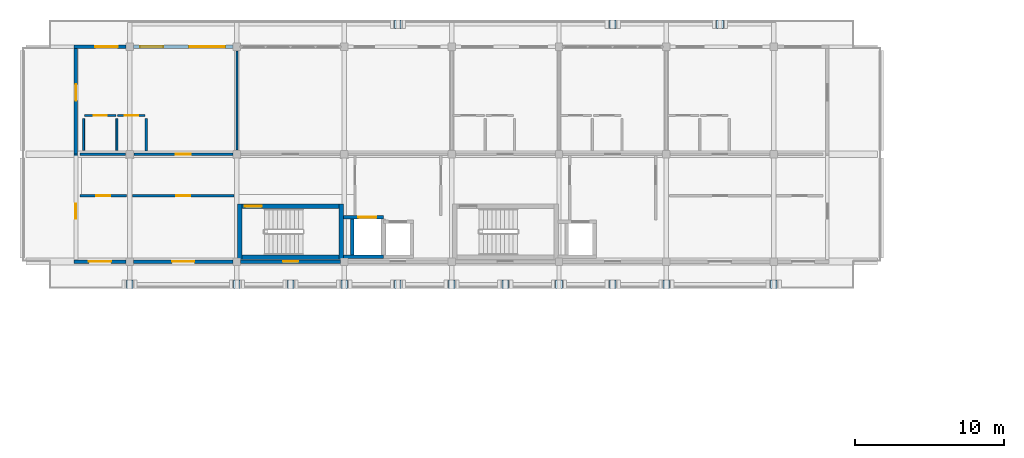
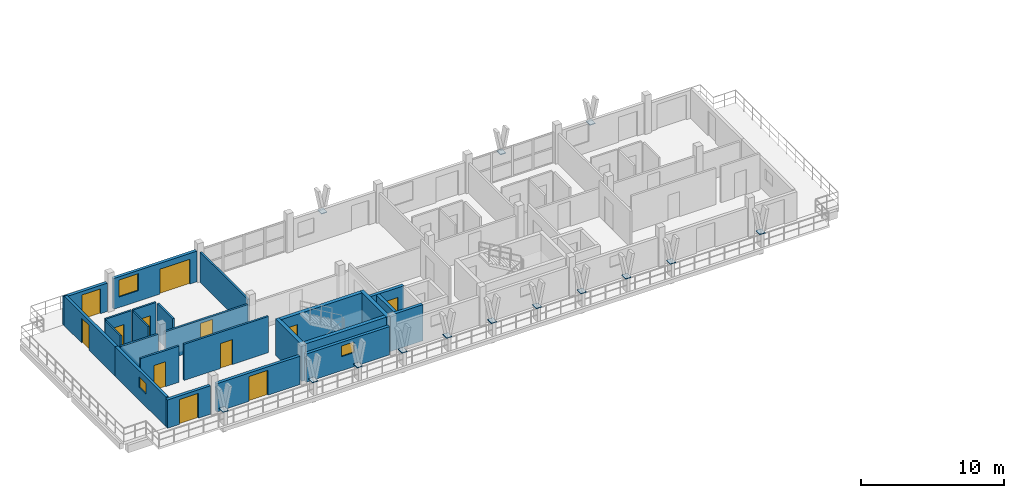
# One storey, part 13 of 19: 24 walls, 14 plates, 12 doors, 3 windows, 15 openings.
"""IFC4 building model written with IfcOpenShell, lengths in metres."""

from ifc_helpers import new_model, si_unit, direction, frame, frame_2d, origin, origin_2d, place, context, subcontext, project, spatial, rectangle, extrude, material, layer, layer_set, type_object, element, fill, save


model = new_model("IFC4")

# Units and contexts
model_context = context("Model", 3, precision=1e-05, world=origin(), true_north=direction((0.0, 1.0)))
body_context = subcontext(model_context, "Body", "Model", "MODEL_VIEW")
ifc_project = project(units=[si_unit("LENGTHUNIT", "METRE"), si_unit("AREAUNIT", "SQUARE_METRE"), si_unit("VOLUMEUNIT", "CUBIC_METRE"), si_unit("PLANEANGLEUNIT", "RADIAN"), si_unit("MASSUNIT", "GRAM", prefix="KILO")], contexts=[model_context])

# Site, building, storey
site_placement = place(None, origin())
site = spatial("IfcSite", under=ifc_project, at=site_placement, CompositionType="ELEMENT")
building_placement = place(site_placement, origin())
building = spatial("IfcBuilding", under=site, at=building_placement, Name="Suanplinth Sawtooth Commons", CompositionType="ELEMENT")
storey_placement = place(building_placement, frame((0.0, 0.0, 44.39990234375)))
storey = spatial("IfcBuildingStorey", under=building, at=storey_placement, Name="L13", CompositionType="ELEMENT", Elevation=44.39990234375)

# Plates
ifc_material_1 = material(Name="Pigmented precast concrete C40/50", Category="concrete")
ifc_layer_1 = layer(ifc_material_1, 0.06005859375, Name="Precast Y-blade bifurcation node plate 60mm")
ifc_layer_set_1 = layer_set([ifc_layer_1], Name="Pigmented precast concrete C40/50")
plate_type = type_object("IfcPlateType", Name="PL-04", PredefinedType="USERDEFINED", material=ifc_layer_set_1)
for number, where, z_axis, x_axis, name in (
    (1, (54.0, 123.919921875, 1.1201171875), (0.0, 0.0, 1.0), (1.0, 0.0, 0.0), "Y-Blade Node Plate L13-A-N-01"),
    (2, (68.39990234375, 123.919921875, 1.1201171875), (0.0, 0.0, 1.0), (1.0, 0.0, 0.0), "Y-Blade Node Plate L13-A-N-02"),
    (3, (75.60009765625, 123.919921875, 1.1201171875), (0.0, 0.0, 1.0), (1.0, 0.0, 0.0), "Y-Blade Node Plate L13-A-N-03"),
    (4, (36.0, 106.47998046875, 1.1201171875), (0.0, 0.0, 1.0), (1.0, 0.0, 0.0), "Y-Blade Node Plate L13-A-S-04"),
    (5, (43.199951171875, 106.47998046875, 1.1201171875), (0.0, 0.0, 1.0), (1.0, 0.0, 0.0), "Y-Blade Node Plate L13-A-S-05"),
    (6, (46.800048828125, 106.47998046875, 1.1201171875), (0.0, 0.0, 1.0), (1.0, 0.0, 0.0), "Y-Blade Node Plate L13-A-S-06"),
    (7, (50.39990234375, 106.47998046875, 1.1201171875), (0.0, 0.0, 1.0), (1.0, 0.0, 0.0), "Y-Blade Node Plate L13-A-S-07"),
    (8, (54.0, 106.47998046875, 1.1201171875), (0.0, 0.0, 1.0), (1.0, 0.0, 0.0), "Y-Blade Node Plate L13-A-S-08"),
    (9, (57.60009765625, 106.47998046875, 1.1201171875), (0.0, 0.0, 1.0), (1.0, 0.0, 0.0), "Y-Blade Node Plate L13-A-S-09"),
    (10, (61.199951171875, 106.47998046875, 1.1201171875), (0.0, 0.0, 1.0), (1.0, 0.0, 0.0), "Y-Blade Node Plate L13-A-S-10"),
    (11, (64.800048828125, 106.47998046875, 1.1201171875), (0.0, 0.0, 1.0), (1.0, 0.0, 0.0), "Y-Blade Node Plate L13-A-S-11"),
    (12, (68.39990234375, 106.47998046875, 1.1201171875), (0.0, 0.0, 1.0), (1.0, 0.0, 0.0), "Y-Blade Node Plate L13-A-S-12"),
    (13, (72.0, 106.47998046875, 1.1201171875), (0.0, 0.0, 1.0), (1.0, 0.0, 0.0), "Y-Blade Node Plate L13-A-S-13"),
    (14, (79.199951171875, 106.47998046875, 1.1201171875), (0.0, 0.0, 1.0), (1.0, 0.0, 0.0), "Y-Blade Node Plate L13-A-S-14"),
):
    element("IfcPlate", number, at=place(storey_placement, frame(where, z_axis=z_axis, x_axis=x_axis)), inside=storey, type_object=plate_type, Name=name, ObjectType="GUSSET PLATE", PredefinedType="USERDEFINED", context=body_context, shape_type="SweptSolid", body=[
        extrude(rectangle(XDim=0.43994140625, YDim=0.550048828125, at=origin_2d()), origin(), (0.0, 0.0, 1.0), 0.06005859375),
    ])

# Wall
ifc_material_2 = material(Name="Concrete C40/50", Category="concrete")
ifc_layer_2 = layer(ifc_material_2, 0.300048828125, Name="Standard RC stair and lift core wall 300mm")
ifc_layer_set_2 = layer_set([ifc_layer_2], Name="Concrete C40/50")
wall_type_1 = type_object("IfcWallType", Name="W-CR02", PredefinedType="SHEAR", material=ifc_layer_set_2)
wall_1_placement = place(storey_placement, frame((43.550048828125, 108.300048828125, 0.0), z_axis=(0.0, 0.0, 1.0), x_axis=(1.0, 0.0, 0.0)))
element("IfcWall", 15, at=wall_1_placement, inside=storey, type_object=wall_type_1, Name="W-L13-C-A1-STS", PredefinedType="SHEAR", context=body_context, shape_type="SweptSolid", body=[
    extrude(rectangle(XDim=6.5, YDim=0.300048828125, at=frame_2d((3.25, 0.0))), origin(), (0.0, 0.0, 1.0), 3.080078125),
])

# Wall, opening, door
wall_2_placement = place(storey_placement, frame((43.550048828125, 111.699951171875, 0.0), z_axis=(0.0, 0.0, 1.0), x_axis=(1.0, 0.0, 0.0)))
wall_2 = element("IfcWall", 16, at=wall_2_placement, inside=storey, type_object=wall_type_1, Name="W-L13-C-A1-STN", PredefinedType="SHEAR", context=body_context, shape_type="SweptSolid", body=[
    extrude(rectangle(XDim=6.5, YDim=0.300048828125, at=frame_2d((3.25, 0.0))), origin(), (0.0, 0.0, 1.0), 3.080078125),
])
opening_1_placement = place(wall_2_placement, frame((0.179931640625, 0.0, 0.0)))
opening_1 = element("IfcOpeningElement", 17, at=opening_1_placement, cuts=wall_2, Name="Opening FD0071", PredefinedType="OPENING", context=body_context, shape_type="SweptSolid", body=[
    extrude(rectangle(XDim=1.14990234375, YDim=2.199951171875, at=frame_2d((0.574951171875, 1.10009765625))), frame((0.0, 0.1650390625, 0.0), z_axis=(0.0, -1.0, 0.0), x_axis=(1.0, 0.0, 0.0)), (0.0, 0.0, 1.0), 0.329833984375),
])
ifc_material_3 = material(Name="Teak hardwood fire-rated door assembly", Category="wood")
door_type_1 = type_object("IfcDoorType", Name="FD-01", OperationType="NOTDEFINED", PredefinedType="DOOR", material=ifc_material_3)
door_1_placement = place(opening_1_placement, frame((1.14990234375, 0.0, 0.0), z_axis=(0.0, 0.0, 1.0), x_axis=(-1.0, 0.0, 0.0)))
door_1 = element("IfcDoor", 18, at=door_1_placement, inside=storey, type_object=door_type_1, Name="Exit Stair Fire Door FD0071", OperationType="SINGLE_SWING_RIGHT", OverallHeight=2.199951171875, OverallWidth=1.14990234375, PredefinedType="DOOR", context=body_context, shape_type="SweptSolid", body=[
    extrude(rectangle(XDim=1.14990234375, YDim=2.199951171875, at=frame_2d((0.574951171875, 1.10009765625))), frame((0.0, 0.02490234375, 0.0), z_axis=(0.0, -1.0, 0.0), x_axis=(1.0, 0.0, 0.0)), (0.0, 0.0, 1.0), 0.050048828125),
])
fill(opening_1, door_1)

# Walls
for number, where, z_axis, x_axis, name in (
    (19, (43.39990234375, 108.14990234375, 0.0), (0.0, 0.0, 1.0), (0.0, 1.0, 0.0), "W-L13-C-A1-STW"),
    (20, (50.199951171875, 108.14990234375, 0.0), (0.0, 0.0, 1.0), (0.0, 1.0, 0.0), "W-L13-C-A1-STE"),
):
    element("IfcWall", number, at=place(storey_placement, frame(where, z_axis=z_axis, x_axis=x_axis)), inside=storey, type_object=wall_type_1, Name=name, PredefinedType="SHEAR", context=body_context, shape_type="SweptSolid", body=[
        extrude(rectangle(XDim=3.7001953125, YDim=0.300048828125, at=frame_2d((1.85009765625, 0.0))), origin(), (0.0, 0.0, 1.0), 3.080078125),
    ])

# Wall, opening, door
ifc_material_4 = material(Name="Precast concrete C40/50", Category="concrete")
ifc_layer_3 = layer(ifc_material_4, 0.239990234375, Name="Upper insulated precast facade wall 240mm")
ifc_layer_set_3 = layer_set([ifc_layer_3], Name="Precast concrete C40/50")
wall_type_2 = type_object("IfcWallType", Name="W-EX03", PredefinedType="ELEMENTEDWALL", material=ifc_layer_set_3)
wall_3_placement = place(storey_placement, frame((32.280029296875, 122.39990234375, 0.0), z_axis=(0.0, 0.0, 1.0), x_axis=(1.0, 0.0, 0.0)))
wall_3 = element("IfcWall", 21, at=wall_3_placement, inside=storey, type_object=wall_type_2, Name="Facade Wall W-L13-A-N-0", PredefinedType="ELEMENTEDWALL", context=body_context, shape_type="SweptSolid", body=[
    extrude(rectangle(XDim=3.469970703125, YDim=0.239990234375, at=frame_2d((1.73486328125, 0.0))), origin(), (0.0, 0.0, 1.0), 2.4150390625),
])
opening_2_placement = place(wall_3_placement, frame((1.419921875, 0.0, 0.0)))
opening_2 = element("IfcOpeningElement", 22, at=opening_2_placement, cuts=wall_3, Name="Opening ED0833", PredefinedType="OPENING", context=body_context, shape_type="SweptSolid", body=[
    extrude(rectangle(XDim=1.5, YDim=2.1201171875, at=frame_2d((0.75, 1.06005859375))), frame((0.0, 0.134765625, 0.0), z_axis=(0.0, -1.0, 0.0), x_axis=(1.0, 0.0, 0.0)), (0.0, 0.0, 1.0), 0.269775390625),
])
ifc_material_5 = material(Name="Anodized aluminium and low-E glass", Category="aluminium")
door_type_2 = type_object("IfcDoorType", Name="SD-03", OperationType="SLIDING_TO_LEFT", PredefinedType="DOOR", material=ifc_material_5)
door_2_placement = place(opening_2_placement, frame((1.5, 0.0, 0.0), z_axis=(0.0, 0.0, 1.0), x_axis=(-1.0, 0.0, 0.0)))
door_2 = element("IfcDoor", 23, at=door_2_placement, inside=storey, type_object=door_type_2, Name="Balcony Sliding Door L13-A-N-0", OperationType="SLIDING_TO_LEFT", OverallHeight=2.1201171875, OverallWidth=1.5, PredefinedType="DOOR", context=body_context, shape_type="SweptSolid", body=[
    extrude(rectangle(XDim=1.5, YDim=2.1201171875, at=frame_2d((0.75, 1.06005859375))), frame((0.0, 0.02490234375, 0.0), z_axis=(0.0, -1.0, 0.0), x_axis=(1.0, 0.0, 0.0)), (0.0, 0.0, 1.0), 0.050048828125),
])
fill(opening_2, door_2)

wall_4_placement = place(storey_placement, frame((32.280029296875, 108.0, 0.0), z_axis=(0.0, 0.0, 1.0), x_axis=(1.0, 0.0, 0.0)))
wall_4 = element("IfcWall", 24, at=wall_4_placement, inside=storey, type_object=wall_type_2, Name="Courtyard Wall W-L13-A-S-0", PredefinedType="ELEMENTEDWALL", context=body_context, shape_type="SweptSolid", body=[
    extrude(rectangle(XDim=3.469970703125, YDim=0.239990234375, at=frame_2d((1.73486328125, 0.0))), origin(), (0.0, 0.0, 1.0), 2.4150390625),
])
opening_3_placement = place(wall_4_placement, frame((0.985107421875, 0.0, 0.0)))
opening_3 = element("IfcOpeningElement", 25, at=opening_3_placement, cuts=wall_4, Name="Opening ED0834", PredefinedType="OPENING", context=body_context, shape_type="SweptSolid", body=[
    extrude(rectangle(XDim=1.5, YDim=2.1201171875, at=frame_2d((0.75, 1.06005859375))), frame((0.0, 0.134765625, 0.0), z_axis=(0.0, -1.0, 0.0), x_axis=(1.0, 0.0, 0.0)), (0.0, 0.0, 1.0), 0.269775390625),
])
door_3_placement = place(opening_3_placement, frame((1.5, 0.0, 0.0), z_axis=(0.0, 0.0, 1.0), x_axis=(-1.0, 0.0, 0.0)))
door_3 = element("IfcDoor", 26, at=door_3_placement, inside=storey, type_object=door_type_2, Name="Courtyard Balcony Sliding Door L13-A-S-0", OperationType="SLIDING_TO_LEFT", OverallHeight=2.1201171875, OverallWidth=1.5, PredefinedType="DOOR", context=body_context, shape_type="SweptSolid", body=[
    extrude(rectangle(XDim=1.5, YDim=2.1201171875, at=frame_2d((0.75, 1.06005859375))), frame((0.0, 0.02490234375, 0.0), z_axis=(0.0, -1.0, 0.0), x_axis=(1.0, 0.0, 0.0)), (0.0, 0.0, 1.0), 0.050048828125),
])
fill(opening_3, door_3)

# Wall, openings, door, window
wall_5_placement = place(storey_placement, frame((36.25, 122.39990234375, 0.0), z_axis=(0.0, 0.0, 1.0), x_axis=(1.0, 0.0, 0.0)))
wall_5 = element("IfcWall", 27, at=wall_5_placement, inside=storey, type_object=wall_type_2, Name="Facade Wall W-L13-A-N-1", PredefinedType="ELEMENTEDWALL", context=body_context, shape_type="SweptSolid", body=[
    extrude(rectangle(XDim=6.699951171875, YDim=0.239990234375, at=frame_2d((3.35009765625, 0.0))), origin(), (0.0, 0.0, 1.0), 2.614990234375),
])
opening_4_placement = place(wall_5_placement, frame((3.75, 0.0, 0.0)))
opening_4 = element("IfcOpeningElement", 28, at=opening_4_placement, cuts=wall_5, Name="Opening ED0835", PredefinedType="OPENING", context=body_context, shape_type="SweptSolid", body=[
    extrude(rectangle(XDim=2.39990234375, YDim=2.1201171875, at=frame_2d((1.199951171875, 1.06005859375))), frame((0.0, 0.134765625, 0.0), z_axis=(0.0, -1.0, 0.0), x_axis=(1.0, 0.0, 0.0)), (0.0, 0.0, 1.0), 0.269775390625),
])
opening_5_placement = place(wall_5_placement, frame((0.449951171875, 0.0, 0.89990234375)))
opening_5 = element("IfcOpeningElement", 29, at=opening_5_placement, cuts=wall_5, Name="Opening W0917", PredefinedType="OPENING", context=body_context, shape_type="SweptSolid", body=[
    extrude(rectangle(XDim=1.550048828125, YDim=1.449951171875, at=frame_2d((0.77490234375, 0.72509765625))), frame((0.0, 0.134765625, 0.0), z_axis=(0.0, -1.0, 0.0), x_axis=(1.0, 0.0, 0.0)), (0.0, 0.0, 1.0), 0.269775390625),
])
door_type_3 = type_object("IfcDoorType", Name="SD-04", OperationType="DOUBLE_DOOR_SLIDING", PredefinedType="DOOR", material=ifc_material_5)
door_4_placement = place(opening_4_placement, frame((2.39990234375, 0.0, 0.0), z_axis=(0.0, 0.0, 1.0), x_axis=(-1.0, 0.0, 0.0)))
door_4 = element("IfcDoor", 30, at=door_4_placement, inside=storey, type_object=door_type_3, Name="Balcony Sliding Door L13-A-N-1", OperationType="DOUBLE_DOOR_SLIDING", OverallHeight=2.1201171875, OverallWidth=2.39990234375, PredefinedType="DOOR", context=body_context, shape_type="SweptSolid", body=[
    extrude(rectangle(XDim=2.39990234375, YDim=2.1201171875, at=frame_2d((1.199951171875, 1.06005859375))), frame((0.0, 0.02490234375, 0.0), z_axis=(0.0, -1.0, 0.0), x_axis=(1.0, 0.0, 0.0)), (0.0, 0.0, 1.0), 0.050048828125),
])
fill(opening_4, door_4)
ifc_material_6 = material(Name="Thermally broken aluminium and low-E double glazing", Category="aluminium")
window_type_1 = type_object("IfcWindowType", Name="WN-22", PartitioningType="DOUBLE_PANEL_VERTICAL", PredefinedType="WINDOW", material=ifc_material_6)
window_1_placement = place(opening_5_placement, origin())
window_1 = element("IfcWindow", 31, at=window_1_placement, inside=storey, type_object=window_type_1, Name="Window L13-A-N-1", OverallHeight=1.449951171875, OverallWidth=1.550048828125, PartitioningType="DOUBLE_PANEL_VERTICAL", PredefinedType="WINDOW", context=body_context, shape_type="SweptSolid", body=[
    extrude(rectangle(XDim=1.550048828125, YDim=1.449951171875, at=frame_2d((0.77490234375, 0.72509765625))), frame((0.0, 0.030029296875, 0.0), z_axis=(0.0, -1.0, 0.0), x_axis=(1.0, 0.0, 0.0)), (0.0, 0.0, 1.0), 0.06005859375),
])
fill(opening_5, window_1)

# Wall, opening, door
wall_6_placement = place(storey_placement, frame((36.25, 108.0, 0.0), z_axis=(0.0, 0.0, 1.0), x_axis=(1.0, 0.0, 0.0)))
wall_6 = element("IfcWall", 32, at=wall_6_placement, inside=storey, type_object=wall_type_2, Name="Courtyard Wall W-L13-A-S-1", PredefinedType="ELEMENTEDWALL", context=body_context, shape_type="SweptSolid", body=[
    extrude(rectangle(XDim=6.699951171875, YDim=0.239990234375, at=frame_2d((3.35009765625, 0.0))), origin(), (0.0, 0.0, 1.0), 2.4150390625),
])
opening_6_placement = place(wall_6_placement, frame((2.60009765625, 0.0, 0.0)))
opening_6 = element("IfcOpeningElement", 33, at=opening_6_placement, cuts=wall_6, Name="Opening ED0836", PredefinedType="OPENING", context=body_context, shape_type="SweptSolid", body=[
    extrude(rectangle(XDim=1.5, YDim=2.1201171875, at=frame_2d((0.75, 1.06005859375))), frame((0.0, 0.134765625, 0.0), z_axis=(0.0, -1.0, 0.0), x_axis=(1.0, 0.0, 0.0)), (0.0, 0.0, 1.0), 0.269775390625),
])
door_5_placement = place(opening_6_placement, frame((1.5, 0.0, 0.0), z_axis=(0.0, 0.0, 1.0), x_axis=(-1.0, 0.0, 0.0)))
door_5 = element("IfcDoor", 34, at=door_5_placement, inside=storey, type_object=door_type_2, Name="Courtyard Balcony Sliding Door L13-A-S-1", OperationType="SLIDING_TO_LEFT", OverallHeight=2.1201171875, OverallWidth=1.5, PredefinedType="DOOR", context=body_context, shape_type="SweptSolid", body=[
    extrude(rectangle(XDim=1.5, YDim=2.1201171875, at=frame_2d((0.75, 1.06005859375))), frame((0.0, 0.02490234375, 0.0), z_axis=(0.0, -1.0, 0.0), x_axis=(1.0, 0.0, 0.0)), (0.0, 0.0, 1.0), 0.050048828125),
])
fill(opening_6, door_5)

# Wall, opening, window
wall_7_placement = place(storey_placement, frame((43.449951171875, 108.0, 0.0), z_axis=(0.0, 0.0, 1.0), x_axis=(1.0, 0.0, 0.0)))
wall_7 = element("IfcWall", 35, at=wall_7_placement, inside=storey, type_object=wall_type_2, Name="Courtyard Wall W-L13-A-S-2", PredefinedType="ELEMENTEDWALL", context=body_context, shape_type="SweptSolid", body=[
    extrude(rectangle(XDim=6.699951171875, YDim=0.239990234375, at=frame_2d((3.35009765625, 0.0))), origin(), (0.0, 0.0, 1.0), 2.4150390625),
])
opening_7_placement = place(wall_7_placement, frame((2.85009765625, 0.0, 1.199951171875)))
opening_7 = element("IfcOpeningElement", 36, at=opening_7_placement, cuts=wall_7, Name="Opening W0918", PredefinedType="OPENING", context=body_context, shape_type="SweptSolid", body=[
    extrude(rectangle(XDim=1.0, YDim=0.89990234375, at=frame_2d((0.5, 0.449951171875))), frame((0.0, 0.134765625, 0.0), z_axis=(0.0, -1.0, 0.0), x_axis=(1.0, 0.0, 0.0)), (0.0, 0.0, 1.0), 0.269775390625),
])
window_type_2 = type_object("IfcWindowType", Name="WN-12", PartitioningType="SINGLE_PANEL", PredefinedType="WINDOW", material=ifc_material_6)
window_2_placement = place(opening_7_placement, origin())
window_2 = element("IfcWindow", 37, at=window_2_placement, inside=storey, type_object=window_type_2, Name="Core Daylight Window L13-A-2", OverallHeight=0.89990234375, OverallWidth=1.0, PartitioningType="SINGLE_PANEL", PredefinedType="WINDOW", context=body_context, shape_type="SweptSolid", body=[
    extrude(rectangle(XDim=1.0, YDim=0.89990234375, at=frame_2d((0.5, 0.449951171875))), frame((0.0, 0.030029296875, 0.0), z_axis=(0.0, -1.0, 0.0), x_axis=(1.0, 0.0, 0.0)), (0.0, 0.0, 1.0), 0.06005859375),
])
fill(opening_7, window_2)

ifc_layer_4 = layer(ifc_material_4, 0.22998046875, Name="Stepped terrace insulated precast wall 230mm")
ifc_layer_set_4 = layer_set([ifc_layer_4], Name="Precast concrete C40/50")
wall_type_3 = type_object("IfcWallType", Name="W-EX06", PredefinedType="ELEMENTEDWALL", material=ifc_layer_set_4)
wall_8_placement = place(storey_placement, frame((32.39990234375, 108.1201171875, 0.0), z_axis=(0.0, 0.0, 1.0), x_axis=(0.0, 1.0, 0.0)))
wall_8 = element("IfcWall", 38, at=wall_8_placement, inside=storey, type_object=wall_type_3, Name="End Wall W-L13-A-W-15", PredefinedType="ELEMENTEDWALL", context=body_context, shape_type="SweptSolid", body=[
    extrude(rectangle(XDim=7.079833984375, YDim=0.22998046875, at=frame_2d((3.5400390625, 0.0))), origin(), (0.0, 0.0, 1.0), 2.51513671875),
])
opening_8_placement = place(wall_8_placement, frame((2.75, 0.0, 1.10009765625)))
opening_8 = element("IfcOpeningElement", 39, at=opening_8_placement, cuts=wall_8, Name="Opening W0925", PredefinedType="OPENING", context=body_context, shape_type="SweptSolid", body=[
    extrude(rectangle(XDim=1.0, YDim=0.89990234375, at=frame_2d((0.5, 0.449951171875))), frame((0.0, 0.1298828125, 0.0), z_axis=(0.0, -1.0, 0.0), x_axis=(1.0, 0.0, 0.0)), (0.0, 0.0, 1.0), 0.259765625),
])
window_3_placement = place(opening_8_placement, origin())
window_3 = element("IfcWindow", 40, at=window_3_placement, inside=storey, type_object=window_type_2, Name="End Window L13-A-W-15", OverallHeight=0.89990234375, OverallWidth=1.0, PartitioningType="SINGLE_PANEL", PredefinedType="WINDOW", context=body_context, shape_type="SweptSolid", body=[
    extrude(rectangle(XDim=1.0, YDim=0.89990234375, at=frame_2d((0.5, 0.449951171875))), frame((0.0, 0.030029296875, 0.0), z_axis=(0.0, -1.0, 0.0), x_axis=(1.0, 0.0, 0.0)), (0.0, 0.0, 1.0), 0.06005859375),
])
fill(opening_8, window_3)

# Wall, opening, door
wall_9_placement = place(storey_placement, frame((32.39990234375, 115.199951171875, 0.0), z_axis=(0.0, 0.0, 1.0), x_axis=(0.0, 1.0, 0.0)))
wall_9 = element("IfcWall", 41, at=wall_9_placement, inside=storey, type_object=wall_type_3, Name="End Wall W-L13-A-W-16", PredefinedType="ELEMENTEDWALL", context=body_context, shape_type="SweptSolid", body=[
    extrude(rectangle(XDim=7.080078125, YDim=0.22998046875, at=frame_2d((3.5400390625, 0.0))), origin(), (0.0, 0.0, 1.0), 2.51513671875),
])
opening_9_placement = place(wall_9_placement, frame((3.60009765625, 0.0, 0.0)))
opening_9 = element("IfcOpeningElement", 42, at=opening_9_placement, cuts=wall_9, Name="Opening ED0843", PredefinedType="OPENING", context=body_context, shape_type="SweptSolid", body=[
    extrude(rectangle(XDim=1.080078125, YDim=2.1201171875, at=frame_2d((0.5400390625, 1.06005859375))), frame((0.0, 0.1298828125, 0.0), z_axis=(0.0, -1.0, 0.0), x_axis=(1.0, 0.0, 0.0)), (0.0, 0.0, 1.0), 0.259765625),
])
door_type_4 = type_object("IfcDoorType", Name="ED-10", OperationType="NOTDEFINED", PredefinedType="DOOR", material=ifc_material_5)
door_6_placement = place(opening_9_placement, frame((1.080078125, 0.0, 0.0), z_axis=(0.0, 0.0, 1.0), x_axis=(-1.0, 0.0, 0.0)))
door_6 = element("IfcDoor", 43, at=door_6_placement, inside=storey, type_object=door_type_4, Name="L13 Block A W Stepped Terrace Door", OperationType="SINGLE_SWING_RIGHT", OverallHeight=2.1201171875, OverallWidth=1.080078125, PredefinedType="DOOR", context=body_context, shape_type="SweptSolid", body=[
    extrude(rectangle(XDim=1.080078125, YDim=2.1201171875, at=frame_2d((0.5400390625, 1.06005859375))), frame((0.0, 0.02490234375, 0.0), z_axis=(0.0, -1.0, 0.0), x_axis=(1.0, 0.0, 0.0)), (0.0, 0.0, 1.0), 0.050048828125),
])
fill(opening_9, door_6)

# Wall
ifc_layer_5 = layer(ifc_material_4, 0.159912109375, Name="Fire-rated corridor and lobby wall 160mm")
ifc_layer_set_5 = layer_set([ifc_layer_5], Name="Precast concrete C40/50")
wall_type_4 = type_object("IfcWallType", Name="W-FW01", PredefinedType="PARTITIONING", material=ifc_layer_set_5)
wall_10_placement = place(storey_placement, frame((32.679931640625, 115.199951171875, 0.0), z_axis=(0.0, 0.0, 1.0), x_axis=(1.0, 0.0, 0.0)))
element("IfcWall", 44, at=wall_10_placement, inside=storey, type_object=wall_type_4, Name="W-A-L13-U01-COR-S1", PredefinedType="PARTITIONING", context=body_context, shape_type="SweptSolid", body=[
    extrude(rectangle(XDim=3.0400390625, YDim=0.159912109375, at=frame_2d((1.52001953125, 0.0))), origin(), (0.0, 0.0, 1.0), 2.4150390625),
])

# Wall, opening, door
wall_11_placement = place(storey_placement, frame((36.280029296875, 115.199951171875, 0.0), z_axis=(0.0, 0.0, 1.0), x_axis=(1.0, 0.0, 0.0)))
wall_11 = element("IfcWall", 45, at=wall_11_placement, inside=storey, type_object=wall_type_4, Name="W-A-L13-U01-COR-S2", PredefinedType="PARTITIONING", context=body_context, shape_type="SweptSolid", body=[
    extrude(rectangle(XDim=6.639892578125, YDim=0.159912109375, at=frame_2d((3.31982421875, 0.0))), origin(), (0.0, 0.0, 1.0), 2.4150390625),
])
opening_10_placement = place(wall_11_placement, frame((2.820068359375, 0.0, 0.0)))
opening_10 = element("IfcOpeningElement", 46, at=opening_10_placement, cuts=wall_11, Name="Opening FD2038", PredefinedType="OPENING", context=body_context, shape_type="SweptSolid", body=[
    extrude(rectangle(XDim=1.0, YDim=2.14990234375, at=frame_2d((0.5, 1.074951171875))), frame((0.0, 0.0947265625, 0.0), z_axis=(0.0, -1.0, 0.0), x_axis=(1.0, 0.0, 0.0)), (0.0, 0.0, 1.0), 0.189697265625),
])
door_type_5 = type_object("IfcDoorType", Name="FD-03", OperationType="NOTDEFINED", PredefinedType="DOOR", material=ifc_material_3)
door_7_placement = place(opening_10_placement, origin())
door_7 = element("IfcDoor", 47, at=door_7_placement, inside=storey, type_object=door_type_5, Name="Unit Entrance Door FD2038", OperationType="SINGLE_SWING_RIGHT", OverallHeight=2.14990234375, OverallWidth=1.0, PredefinedType="DOOR", context=body_context, shape_type="SweptSolid", body=[
    extrude(rectangle(XDim=1.0, YDim=2.14990234375, at=frame_2d((0.5, 1.074951171875))), frame((0.0, 0.02490234375, 0.0), z_axis=(0.0, -1.0, 0.0), x_axis=(1.0, 0.0, 0.0)), (0.0, 0.0, 1.0), 0.050048828125),
])
fill(opening_10, door_7)

wall_12_placement = place(storey_placement, frame((32.679931640625, 112.419921875, 0.0), z_axis=(0.0, 0.0, 1.0), x_axis=(1.0, 0.0, 0.0)))
wall_12 = element("IfcWall", 48, at=wall_12_placement, inside=storey, type_object=wall_type_4, Name="W-A-L13-COURTROOM-5-COR", PredefinedType="PARTITIONING", context=body_context, shape_type="SweptSolid", body=[
    extrude(rectangle(XDim=3.1201171875, YDim=0.159912109375, at=frame_2d((1.56005859375, 0.0))), origin(), (0.0, 0.0, 1.0), 3.080078125),
])
opening_11_placement = place(wall_12_placement, frame((1.090087890625, 0.0, 0.0)))
opening_11 = element("IfcOpeningElement", 49, at=opening_11_placement, cuts=wall_12, Name="Opening D2051", PredefinedType="OPENING", context=body_context, shape_type="SweptSolid", body=[
    extrude(rectangle(XDim=0.93994140625, YDim=2.1201171875, at=frame_2d((0.469970703125, 1.06005859375))), frame((0.0, 0.0947265625, 0.0), z_axis=(0.0, -1.0, 0.0), x_axis=(1.0, 0.0, 0.0)), (0.0, 0.0, 1.0), 0.189697265625),
])
ifc_material_7 = material(Name="Teak hardwood", Category="wood")
door_type_6 = type_object("IfcDoorType", Name="D-15", OperationType="NOTDEFINED", PredefinedType="DOOR", material=ifc_material_7)
door_8_placement = place(opening_11_placement, frame((0.93994140625, 0.0, 0.0), z_axis=(0.0, 0.0, 1.0), x_axis=(-1.0, 0.0, 0.0)))
door_8 = element("IfcDoor", 50, at=door_8_placement, inside=storey, type_object=door_type_6, Name="Study Studio Door D2051", OperationType="SINGLE_SWING_LEFT", OverallHeight=2.1201171875, OverallWidth=0.93994140625, PredefinedType="DOOR", context=body_context, shape_type="SweptSolid", body=[
    extrude(rectangle(XDim=0.93994140625, YDim=2.1201171875, at=frame_2d((0.469970703125, 1.06005859375))), frame((0.0, 0.02490234375, 0.0), z_axis=(0.0, -1.0, 0.0), x_axis=(1.0, 0.0, 0.0)), (0.0, 0.0, 1.0), 0.050048828125),
])
fill(opening_11, door_8)

wall_13_placement = place(storey_placement, frame((36.199951171875, 112.419921875, 0.0), z_axis=(0.0, 0.0, 1.0), x_axis=(1.0, 0.0, 0.0)))
wall_13 = element("IfcWall", 51, at=wall_13_placement, inside=storey, type_object=wall_type_4, Name="W-A-L13-COURTROOM-6-COR", PredefinedType="PARTITIONING", context=body_context, shape_type="SweptSolid", body=[
    extrude(rectangle(XDim=6.800048828125, YDim=0.159912109375, at=frame_2d((3.39990234375, 0.0))), origin(), (0.0, 0.0, 1.0), 3.080078125),
])
opening_12_placement = place(wall_13_placement, frame((2.929931640625, 0.0, 0.0)))
opening_12 = element("IfcOpeningElement", 52, at=opening_12_placement, cuts=wall_13, Name="Opening D2052", PredefinedType="OPENING", context=body_context, shape_type="SweptSolid", body=[
    extrude(rectangle(XDim=0.93994140625, YDim=2.1201171875, at=frame_2d((0.469970703125, 1.06005859375))), frame((0.0, 0.0947265625, 0.0), z_axis=(0.0, -1.0, 0.0), x_axis=(1.0, 0.0, 0.0)), (0.0, 0.0, 1.0), 0.189697265625),
])
door_9_placement = place(opening_12_placement, frame((0.93994140625, 0.0, 0.0), z_axis=(0.0, 0.0, 1.0), x_axis=(-1.0, 0.0, 0.0)))
door_9 = element("IfcDoor", 53, at=door_9_placement, inside=storey, type_object=door_type_6, Name="Study Studio Door D2052", OperationType="SINGLE_SWING_RIGHT", OverallHeight=2.1201171875, OverallWidth=0.93994140625, PredefinedType="DOOR", context=body_context, shape_type="SweptSolid", body=[
    extrude(rectangle(XDim=0.93994140625, YDim=2.1201171875, at=frame_2d((0.469970703125, 1.06005859375))), frame((0.0, 0.02490234375, 0.0), z_axis=(0.0, -1.0, 0.0), x_axis=(1.0, 0.0, 0.0)), (0.0, 0.0, 1.0), 0.050048828125),
])
fill(opening_12, door_9)

# Wall
ifc_layer_6 = layer(ifc_material_4, 0.14990234375, Name="Acoustic precast party demising wall 150mm")
ifc_layer_set_6 = layer_set([ifc_layer_6], Name="Precast concrete C40/50")
wall_type_5 = type_object("IfcWallType", Name="W-FW02", PredefinedType="PARTITIONING", material=ifc_layer_set_6)
wall_14_placement = place(storey_placement, frame((43.199951171875, 115.47998046875, 0.0), z_axis=(0.0, 0.0, 1.0), x_axis=(0.0, 1.0, 0.0)))
element("IfcWall", 54, at=wall_14_placement, inside=storey, type_object=wall_type_5, Name="W-A-L13-U01-PTY", PredefinedType="PARTITIONING", context=body_context, shape_type="SweptSolid", body=[
    extrude(rectangle(XDim=6.64013671875, YDim=0.14990234375, at=frame_2d((3.320068359375, 0.0))), origin(), (0.0, 0.0, 1.0), 2.565185546875),
])

# Wall, opening, door
ifc_material_8 = material(Name="Gypsum plasterboard on steel stud", Category="steel")
ifc_layer_7 = layer(ifc_material_8, 0.139892578125, Name="Fire-rated kitchen partition 140mm")
ifc_layer_set_7 = layer_set([ifc_layer_7], Name="Gypsum plasterboard on steel stud")
wall_type_6 = type_object("IfcWallType", Name="W-PT01", PredefinedType="PARTITIONING", material=ifc_layer_set_7)
wall_15_placement = place(storey_placement, frame((35.199951171875, 117.800048828125, 0.0), z_axis=(0.0, 0.0, 1.0), x_axis=(1.0, 0.0, 0.0)))
wall_15 = element("IfcWall", 55, at=wall_15_placement, inside=storey, type_object=wall_type_6, Name="W-A-L13-U01-KIT1", PredefinedType="PARTITIONING", context=body_context, shape_type="SweptSolid", body=[
    extrude(rectangle(XDim=1.85009765625, YDim=0.139892578125, at=frame_2d((0.925048828125, 0.0))), origin(), (0.0, 0.0, 1.0), 3.080078125),
])
opening_13_placement = place(wall_15_placement, frame((0.465087890625, 0.0, 0.0)))
opening_13 = element("IfcOpeningElement", 56, at=opening_13_placement, cuts=wall_15, Name="Opening D2040", PredefinedType="OPENING", context=body_context, shape_type="SweptSolid", body=[
    extrude(rectangle(XDim=0.919921875, YDim=2.10009765625, at=frame_2d((0.4599609375, 1.050048828125))), frame((0.0, 0.0849609375, 0.0), z_axis=(0.0, -1.0, 0.0), x_axis=(1.0, 0.0, 0.0)), (0.0, 0.0, 1.0), 0.169677734375),
])
door_type_7 = type_object("IfcDoorType", Name="D-02", OperationType="NOTDEFINED", PredefinedType="DOOR", material=ifc_material_7)
door_10_placement = place(opening_13_placement, frame((0.919921875, 0.0, 0.0), z_axis=(0.0, 0.0, 1.0), x_axis=(-1.0, 0.0, 0.0)))
door_10 = element("IfcDoor", 57, at=door_10_placement, inside=storey, type_object=door_type_7, Name="Kitchen Door D2040", OperationType="SINGLE_SWING_RIGHT", OverallHeight=2.10009765625, OverallWidth=0.919921875, PredefinedType="DOOR", context=body_context, shape_type="SweptSolid", body=[
    extrude(rectangle(XDim=0.919921875, YDim=2.10009765625, at=frame_2d((0.4599609375, 1.050048828125))), frame((0.0, 0.02490234375, 0.0), z_axis=(0.0, -1.0, 0.0), x_axis=(1.0, 0.0, 0.0)), (0.0, 0.0, 1.0), 0.050048828125),
])
fill(opening_13, door_10)

# Wall
wall_16_placement = place(storey_placement, frame((37.1201171875, 115.429931640625, 0.0), z_axis=(0.0, 0.0, 1.0), x_axis=(0.0, 1.0, 0.0)))
element("IfcWall", 58, at=wall_16_placement, inside=storey, type_object=wall_type_6, Name="W-A-L13-U01-KIT2", PredefinedType="PARTITIONING", context=body_context, shape_type="SweptSolid", body=[
    extrude(rectangle(XDim=2.150146484375, YDim=0.139892578125, at=frame_2d((1.0751953125, 0.0))), origin(), (0.0, 0.0, 1.0), 3.080078125),
])

# Wall, opening, door
ifc_layer_8 = layer(ifc_material_8, 0.1298828125, Name="Moisture-resistant bathroom partition 130mm")
ifc_layer_set_8 = layer_set([ifc_layer_8], Name="Gypsum plasterboard on steel stud")
wall_type_7 = type_object("IfcWallType", Name="W-PT02", PredefinedType="PARTITIONING", material=ifc_layer_set_8)
wall_17_placement = place(storey_placement, frame((32.97998046875, 117.794921875, 0.0), z_axis=(0.0, 0.0, 1.0), x_axis=(1.0, 0.0, 0.0)))
wall_17 = element("IfcWall", 59, at=wall_17_placement, inside=storey, type_object=wall_type_7, Name="W-A-L13-U01-BTH1", PredefinedType="PARTITIONING", context=body_context, shape_type="SweptSolid", body=[
    extrude(rectangle(XDim=2.10009765625, YDim=0.1298828125, at=frame_2d((1.050048828125, 0.0))), origin(), (0.0, 0.0, 1.0), 3.080078125),
])
opening_14_placement = place(wall_17_placement, frame((0.610107421875, 0.0, 0.0)))
opening_14 = element("IfcOpeningElement", 60, at=opening_14_placement, cuts=wall_17, Name="Opening D2039", PredefinedType="OPENING", context=body_context, shape_type="SweptSolid", body=[
    extrude(rectangle(XDim=0.8798828125, YDim=2.10009765625, at=frame_2d((0.43994140625, 1.050048828125))), frame((0.0, 0.079833984375, 0.0), z_axis=(0.0, -1.0, 0.0), x_axis=(1.0, 0.0, 0.0)), (0.0, 0.0, 1.0), 0.15966796875),
])
door_type_8 = type_object("IfcDoorType", Name="D-14", OperationType="NOTDEFINED", PredefinedType="DOOR", material=ifc_material_7)
door_11_placement = place(opening_14_placement, frame((0.8798828125, 0.0, 0.0), z_axis=(0.0, 0.0, 1.0), x_axis=(-1.0, 0.0, 0.0)))
door_11 = element("IfcDoor", 61, at=door_11_placement, inside=storey, type_object=door_type_8, Name="Bathroom Door D2039", OperationType="SINGLE_SWING_LEFT", OverallHeight=2.10009765625, OverallWidth=0.8798828125, PredefinedType="DOOR", context=body_context, shape_type="SweptSolid", body=[
    extrude(rectangle(XDim=0.8798828125, YDim=2.10009765625, at=frame_2d((0.43994140625, 1.050048828125))), frame((0.0, 0.02490234375, 0.0), z_axis=(0.0, -1.0, 0.0), x_axis=(1.0, 0.0, 0.0)), (0.0, 0.0, 1.0), 0.050048828125),
])
fill(opening_14, door_11)

# Walls
for number, where, z_axis, x_axis, name in (
    (62, (35.14501953125, 115.4599609375, 0.0), (0.0, 0.0, 1.0), (0.0, 1.0, 0.0), "W-A-L13-U01-BTH2"),
    (63, (32.9150390625, 115.4599609375, 0.0), (0.0, 0.0, 1.0), (0.0, 1.0, 0.0), "W-A-L13-U01-BTH3"),
):
    element("IfcWall", number, at=place(storey_placement, frame(where, z_axis=z_axis, x_axis=x_axis)), inside=storey, type_object=wall_type_7, Name=name, PredefinedType="PARTITIONING", context=body_context, shape_type="SweptSolid", body=[
        extrude(rectangle(XDim=2.130126953125, YDim=0.1298828125, at=frame_2d((1.06494140625, 0.0))), origin(), (0.0, 0.0, 1.0), 3.080078125),
    ])
ifc_layer_9 = layer(ifc_material_4, 0.25, Name="Precast structural shear wall 250mm")
ifc_layer_set_9 = layer_set([ifc_layer_9], Name="Precast concrete C40/50")
wall_type_8 = type_object("IfcWallType", Name="W-SH01", PredefinedType="SHEAR", material=ifc_layer_set_9)
wall_18_placement = place(storey_placement, frame((50.35009765625, 108.324951171875, 0.0), z_axis=(0.0, 0.0, 1.0), x_axis=(1.0, 0.0, 0.0)))
element("IfcWall", 64, at=wall_18_placement, inside=storey, type_object=wall_type_8, Name="W-L13-FL1-S", PredefinedType="SHEAR", context=body_context, shape_type="SweptSolid", body=[
    extrude(rectangle(XDim=2.6748046875, YDim=0.25, at=frame_2d((1.33740234375, 0.0))), origin(), (0.0, 0.0, 1.0), 3.080078125),
])

# Wall, opening, door
wall_19_placement = place(storey_placement, frame((50.35009765625, 110.97509765625, 0.0), z_axis=(0.0, 0.0, 1.0), x_axis=(1.0, 0.0, 0.0)))
wall_19 = element("IfcWall", 65, at=wall_19_placement, inside=storey, type_object=wall_type_8, Name="W-L13-FL1-N", PredefinedType="SHEAR", context=body_context, shape_type="SweptSolid", body=[
    extrude(rectangle(XDim=2.6748046875, YDim=0.25, at=frame_2d((1.33740234375, 0.0))), origin(), (0.0, 0.0, 1.0), 3.080078125),
])
opening_15_placement = place(wall_19_placement, frame((1.0, 0.0, 0.0)))
opening_15 = element("IfcOpeningElement", 66, at=opening_15_placement, cuts=wall_19, Name="Opening LD0074", PredefinedType="OPENING", context=body_context, shape_type="SweptSolid", body=[
    extrude(rectangle(XDim=1.199951171875, YDim=2.25, at=frame_2d((0.60009765625, 1.125))), frame((0.0, 0.139892578125, 0.0), z_axis=(0.0, -1.0, 0.0), x_axis=(1.0, 0.0, 0.0)), (0.0, 0.0, 1.0), 0.27978515625),
])
ifc_material_9 = material(Name="Stainless steel Grade 304", Category="steel")
door_type_9 = type_object("IfcDoorType", Name="LD-02", OperationType="SLIDING_TO_LEFT", PredefinedType="DOOR", material=ifc_material_9)
door_12_placement = place(opening_15_placement, origin())
door_12 = element("IfcDoor", 67, at=door_12_placement, inside=storey, type_object=door_type_9, Name="Lift Landing Sliding Door FL1 L13", OperationType="SLIDING_TO_LEFT", OverallHeight=2.25, OverallWidth=1.199951171875, PredefinedType="DOOR", context=body_context, shape_type="SweptSolid", body=[
    extrude(rectangle(XDim=1.199951171875, YDim=2.25, at=frame_2d((0.60009765625, 1.125))), frame((0.0, 0.02490234375, 0.0), z_axis=(0.0, -1.0, 0.0), x_axis=(1.0, 0.0, 0.0)), (0.0, 0.0, 1.0), 0.050048828125),
])
fill(opening_15, door_12)

# Wall
wall_20_placement = place(storey_placement, frame((50.925048828125, 108.449951171875, 0.0), z_axis=(0.0, 0.0, 1.0), x_axis=(0.0, 1.0, 0.0)))
element("IfcWall", 68, at=wall_20_placement, inside=storey, type_object=wall_type_8, Name="W-L13-FL1-W", PredefinedType="SHEAR", context=body_context, shape_type="SweptSolid", body=[
    extrude(rectangle(XDim=2.400146484375, YDim=0.25, at=frame_2d((1.2001953125, 0.0))), origin(), (0.0, 0.0, 1.0), 3.080078125),
])

save(model, "model.ifc")
